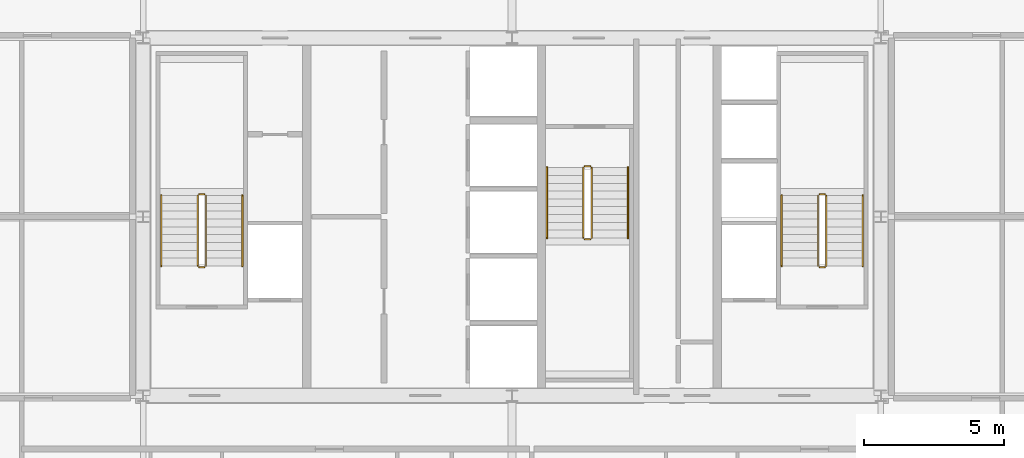
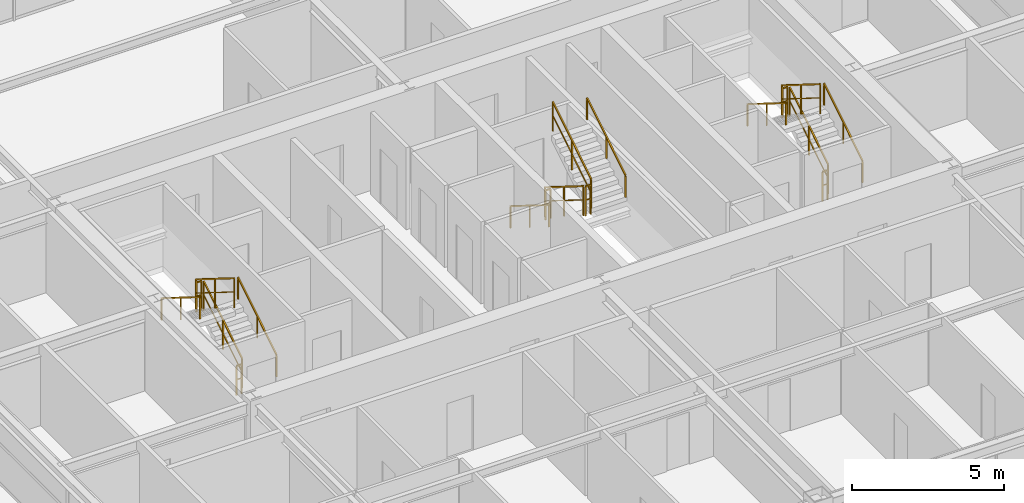
# One storey, part 36 of 36: 18 railings.
"""IFC4 building model written with IfcOpenShell, lengths in metres."""

import ifcopenshell
import ifcopenshell.guid

model = None  # the IFC model being written
_history = None  # IfcOwnerHistory: only IFC2X3 demands one
_inside = {}  # id of a spatial element -> (the spatial element, [elements in it])
_under = {}  # id of a project, library or spatial element -> (it, [spatial elements below it])
_declared = {}  # id of a project -> (the project, [libraries it declares])
_typed = {}  # id of a type object -> (the type object, [elements of that type])
_made_of = {}  # id of a material, layer set ... -> (it, [elements and type objects made of it])


def new_model(schema):
    """Start an empty IFC model of exactly this schema.

    Asked for "IFC4X3", IfcOpenShell would pick the latest addendum, in which some entities
    have other attributes; the version numbers below select the first issue.
    IFC2X3 requires an IfcOwnerHistory on every rooted entity: one is made here for all.
    """
    global model, _history
    if schema == "IFC4X3":
        model = ifcopenshell.file(schema_version=(4, 3, 0, 0))
    else:
        model = ifcopenshell.file(schema=schema)
    _inside.clear()
    _under.clear()
    _declared.clear()
    _typed.clear()
    _made_of.clear()
    _history = None
    if model.schema == "IFC2X3":
        org = make("IfcOrganization", Name="unknown")
        user = make(
            "IfcPersonAndOrganization",
            ThePerson=make("IfcPerson", FamilyName="unknown"),
            TheOrganization=org,
        )
        app = make(
            "IfcApplication",
            ApplicationDeveloper=org,
            Version="unknown",
            ApplicationFullName="unknown",
            ApplicationIdentifier="unknown",
        )
        _history = make(
            "IfcOwnerHistory",
            OwningUser=user,
            OwningApplication=app,
            ChangeAction="ADDED",
            CreationDate=0,
        )
    return model


def make(cls, **values):
    """One entity of the class cls with the attributes given. An attribute that is None is left unset."""
    return model.create_entity(
        cls, **{name: value for name, value in values.items() if value is not None}
    )


def rooted(cls, **values):
    """An entity with a GlobalId (a new one), such as an element, a storey or a relation."""
    return make(cls, GlobalId=ifcopenshell.guid.new(), OwnerHistory=_history, **values)


def si_unit(unit_type, name, prefix=None):
    """IfcSIUnit, for example si_unit("LENGTHUNIT", "METRE", prefix="MILLI")."""
    return make("IfcSIUnit", UnitType=unit_type, Prefix=prefix, Name=name)


def assignment(units):
    """IfcUnitAssignment: the units of a project."""
    return None if units is None else make("IfcUnitAssignment", Units=units)


def point(xyz):
    """IfcCartesianPoint."""
    return None if xyz is None else make("IfcCartesianPoint", Coordinates=xyz)


def direction(xyz):
    """IfcDirection."""
    return None if xyz is None else make("IfcDirection", DirectionRatios=xyz)


def frame(location, z_axis=None, x_axis=None):
    """IfcAxis2Placement3D, a coordinate frame: its origin and axes. An axis left out is left unset."""
    return make(
        "IfcAxis2Placement3D",
        Location=point(location),
        Axis=direction(z_axis),
        RefDirection=direction(x_axis),
    )


def frame_2d(location, x_axis=None):
    """IfcAxis2Placement2D, a coordinate frame in the plane: its origin and x axis."""
    return make(
        "IfcAxis2Placement2D", Location=point(location), RefDirection=direction(x_axis)
    )


def origin():
    """The frame at (0, 0, 0) with its axes left unset."""
    return frame((0.0, 0.0, 0.0))


def origin_2d():
    """The frame at (0, 0) in the plane with its x axis left unset."""
    return frame_2d((0.0, 0.0))


def place(relative_to, where):
    """IfcLocalPlacement: puts the frame where relative to a parent placement (None: the world)."""
    return make(
        "IfcLocalPlacement", PlacementRelTo=relative_to, RelativePlacement=where
    )


def context(
    kind, dimensions, precision=None, world=None, true_north=None, identifier=None
):
    """IfcGeometricRepresentationContext, for example the 3D "Model" context."""
    return make(
        "IfcGeometricRepresentationContext",
        ContextIdentifier=identifier,
        ContextType=kind,
        CoordinateSpaceDimension=dimensions,
        Precision=precision,
        WorldCoordinateSystem=world,
        TrueNorth=true_north,
    )


def subcontext(parent, identifier, kind, view, scale=None):
    """IfcGeometricRepresentationSubContext, for example "Body" below "Model"."""
    return make(
        "IfcGeometricRepresentationSubContext",
        ContextIdentifier=identifier,
        ContextType=kind,
        ParentContext=parent,
        TargetScale=scale,
        TargetView=view,
    )


def project(units=None, contexts=None):
    """IfcProject with its units and contexts."""
    return rooted(
        "IfcProject",
        Name="project",
        RepresentationContexts=contexts,
        UnitsInContext=assignment(units),
    )


def spatial(cls, under=None, at=None, **own):
    """A site, building, storey or space (cls), placed at a placement, below another one or the project."""
    s = rooted(cls, ObjectPlacement=at, **own)
    if under is not None:
        _under.setdefault(under.id(), (under, []))[1].append(s)
    return s


def profile(cls, at=None, kind="AREA", **sizes):
    """A parametric profile (cls). Its sizes go by their IFC names, for example OverallWidth=200.0."""
    return make(cls, ProfileType=kind, Position=at, **sizes)


def rectangle(**sizes):
    """IfcRectangleProfileDef."""
    return profile("IfcRectangleProfileDef", **sizes)


def extrude(swept, where, along, depth):
    """IfcExtrudedAreaSolid: the profile swept, set in the frame where, extruded along a direction by depth."""
    return make(
        "IfcExtrudedAreaSolid",
        SweptArea=swept,
        Position=where,
        ExtrudedDirection=direction(along),
        Depth=depth,
    )


def shape(context_of_items, identifier, shape_type, items):
    """IfcShapeRepresentation: the items that make up one representation, for example the "Body"."""
    return make(
        "IfcShapeRepresentation",
        ContextOfItems=context_of_items,
        RepresentationIdentifier=identifier,
        RepresentationType=shape_type,
        Items=items,
    )


def source(mapping_origin, context_of_items, identifier, shape_type, items):
    """IfcRepresentationMap: a shape defined once, which mapped items show again and again."""
    return make(
        "IfcRepresentationMap",
        MappingOrigin=mapping_origin,
        MappedRepresentation=shape(context_of_items, identifier, shape_type, items),
    )


def transform(
    local_origin,
    x_axis=None,
    y_axis=None,
    z_axis=None,
    scale=None,
    scale2=None,
    scale3=None,
    uniform=True,
):
    """IfcCartesianTransformationOperator3D, or its non-uniform kind. x_axis, y_axis, z_axis: its Axis1, 2, 3."""
    if uniform:
        return make(
            "IfcCartesianTransformationOperator3D",
            Axis1=direction(x_axis),
            Axis2=direction(y_axis),
            LocalOrigin=point(local_origin),
            Scale=scale,
            Axis3=direction(z_axis),
        )
    return make(
        "IfcCartesianTransformationOperator3DnonUniform",
        Axis1=direction(x_axis),
        Axis2=direction(y_axis),
        LocalOrigin=point(local_origin),
        Scale=scale,
        Axis3=direction(z_axis),
        Scale2=scale2,
        Scale3=scale3,
    )


def mapped(mapping_source, mapping_target):
    """IfcMappedItem: shows the shape of a source again, moved by a transform."""
    return make(
        "IfcMappedItem", MappingSource=mapping_source, MappingTarget=mapping_target
    )


def material(Name=None, Category=None):
    """IfcMaterial."""
    return make("IfcMaterial", Name=Name, Category=Category)


def layer(
    of_material, thickness, ventilated=None, Name=None, Category=None, Priority=None
):
    """IfcMaterialLayer: one layer of a wall or slab, of a material (None: an air gap)."""
    return make(
        "IfcMaterialLayer",
        Material=of_material,
        LayerThickness=thickness,
        IsVentilated=ventilated,
        Name=Name,
        Category=Category,
        Priority=Priority,
    )


def layer_set(layers, Name=None):
    """IfcMaterialLayerSet."""
    return make("IfcMaterialLayerSet", MaterialLayers=layers, LayerSetName=Name)


def made_of(thing, what):
    """Note that an element or type object is made of a material, layer set ...; save() writes the relation."""
    if what is not None:
        _made_of.setdefault(what.id(), (what, []))[1].append(thing)
    return thing


def type_object(cls, material=None, **own):
    """A type object (cls), such as IfcWallType, which elements share."""
    return made_of(rooted(cls, **own), material)


def element(
    cls,
    number,
    at=None,
    inside=None,
    cuts=None,
    type_object=None,
    material=None,
    context=None,
    identifier="Body",
    shape_type=None,
    held_by="IfcProductDefinitionShape",
    body=None,
    shapes=None,
    **own,
):
    """One element of the class cls, such as IfcWall. Its Tag is "e" and its number.

    at: its placement. inside: the storey or other place that contains it. cuts: it is an
    opening in that element (IfcRelVoidsElement). A single representation is given by context,
    identifier, shape_type and body (its items); several are given by shapes. held_by: the class
    of the entity that holds the representations. save() writes the other relations.
    """
    e = rooted(cls, Tag="e%d" % number, ObjectPlacement=at, **own)
    if body is not None:
        shapes = [shape(context, identifier, shape_type, body)]
    if shapes is not None:
        e.Representation = make(held_by, Representations=shapes)
    if inside is not None:
        _inside.setdefault(inside.id(), (inside, []))[1].append(e)
    if cuts is not None:
        rooted(
            "IfcRelVoidsElement", RelatingBuildingElement=cuts, RelatedOpeningElement=e
        )
    if type_object is not None:
        _typed.setdefault(type_object.id(), (type_object, []))[1].append(e)
    return made_of(e, material)


def aggregate(whole, parts):
    """IfcRelAggregates: a whole, such as a stair, and the parts it consists of."""
    return rooted("IfcRelAggregates", RelatingObject=whole, RelatedObjects=parts)


def save(model, path):
    """Write the relations noted so far, then the file.

    IfcRelAggregates (storeys below a building ...), IfcRelContainedInSpatialStructure (elements
    in a storey), IfcRelDefinesByType, IfcRelAssociatesMaterial and IfcRelDeclares: one each for
    every whole, place, type object, material and project.
    """
    for whole, parts in _under.values():
        aggregate(whole, parts)
    for where, things in _inside.values():
        rooted(
            "IfcRelContainedInSpatialStructure",
            RelatedElements=things,
            RelatingStructure=where,
        )
    for kind, things in _typed.values():
        rooted("IfcRelDefinesByType", RelatedObjects=things, RelatingType=kind)
    for what, things in _made_of.values():
        rooted("IfcRelAssociatesMaterial", RelatedObjects=things, RelatingMaterial=what)
    for by, libraries in _declared.values():
        rooted("IfcRelDeclares", RelatingContext=by, RelatedDefinitions=libraries)
    model.write(path)


model = new_model("IFC4")

# Units and contexts
model_context = context("Model", 3, precision=1e-05, world=origin(), true_north=direction((0.0, 1.0)))
body_context = subcontext(model_context, "Body", "Model", "MODEL_VIEW")
ifc_project = project(units=[si_unit("LENGTHUNIT", "METRE"), si_unit("AREAUNIT", "SQUARE_METRE"), si_unit("VOLUMEUNIT", "CUBIC_METRE"), si_unit("PLANEANGLEUNIT", "RADIAN"), si_unit("MASSUNIT", "GRAM", prefix="KILO"), si_unit("THERMODYNAMICTEMPERATUREUNIT", "KELVIN"), si_unit("POWERUNIT", "WATT")], contexts=[model_context])

# Site, building, storey
site_placement = place(None, origin())
site = spatial("IfcSite", under=ifc_project, at=site_placement, CompositionType="ELEMENT")
building_placement = place(site_placement, origin())
building = spatial("IfcBuilding", under=site, at=building_placement, Name="Yuzanri Waterfront Tower", CompositionType="ELEMENT")
storey_placement = place(building_placement, frame((0.0, 0.0, 224.10009765625)))
storey = spatial("IfcBuildingStorey", under=building, at=storey_placement, Name="L59", CompositionType="ELEMENT", Elevation=224.10009765625)

# Railings
ifc_material_1 = material(Name="Painted Galvanized Fire Steel", Category="steel")
ifc_layer_1 = layer(ifc_material_1, 0.06005859375)
ifc_layer_set_1 = layer_set([ifc_layer_1], Name="Painted Galvanized Fire Steel")
railing_type_1 = type_object("IfcRailingType", Name="Painted Steel Stairwell Guardrail 1120", PredefinedType="GUARDRAIL", material=ifc_layer_set_1)
shared_shape_1 = source(origin(), body_context, "Body", "SweptSolid", [
    extrude(rectangle(XDim=0.050048828125, YDim=0.050048828125, at=origin_2d()), frame((0.0, 0.0, 1.1748046875), z_axis=(-1.0, 0.0, 0.0), x_axis=(0.0, -1.0, 0.0)), (0.0, 0.0, 1.0), 0.199951171875),
    extrude(rectangle(XDim=0.035888671875, YDim=0.030029296875, at=origin_2d()), frame((0.0, 0.0, 0.6240234375), z_axis=(-1.0, 0.0, 0.0), x_axis=(0.0, -1.0, 0.0)), (0.0, 0.0, 1.0), 0.199951171875),
    extrude(rectangle(XDim=0.0458984375, YDim=0.0458984375, at=origin_2d()), origin(), (0.0, 0.0, 1.0), 1.14990234375),
    extrude(rectangle(XDim=0.0458984375, YDim=0.0458984375, at=origin_2d()), frame((-0.199951171875, 0.0, 0.0)), (0.0, 0.0, 1.0), 1.14990234375),
])
for number, where, name in (
    (1, (26.0, 26.610107421875, 1.75), "L59 ST-01 stair guard 2"),
    (2, (26.0, 23.989990234375, 0.0), "L59 ST-01 stair guard 4"),
    (3, (48.199951171875, 26.610107421875, 1.75), "L59 ST-02 stair guard 2"),
    (4, (48.199951171875, 23.989990234375, 0.0), "L59 ST-02 stair guard 4"),
):
    element("IfcRailing", number, at=place(storey_placement, frame(where)), inside=storey, type_object=railing_type_1, Name=name, PredefinedType="GUARDRAIL", context=body_context, shape_type="MappedRepresentation", body=[
        mapped(shared_shape_1, transform((0.0, 0.0, 0.0), scale=1.0)),
    ])
shared_shape_2 = source(origin(), body_context, "Body", "SweptSolid", [
    extrude(rectangle(XDim=0.050048828125, YDim=0.050048828125, at=origin_2d()), frame((0.0, 0.0, 1.1748046875), z_axis=(0.0, 0.847970611238, 0.530043245855), x_axis=(-1.0, 0.0, 0.0)), (0.0, 0.0, 1.0), 2.971923828125),
    extrude(rectangle(XDim=0.035888671875, YDim=0.030029296875, at=origin_2d()), frame((0.0, 0.0, 0.6240234375), z_axis=(0.0, 0.847970611238, 0.530043245855), x_axis=(-1.0, 0.0, 0.0)), (0.0, 0.0, 1.0), 2.971923828125),
    extrude(rectangle(XDim=0.0458984375, YDim=0.0458984375, at=origin_2d()), origin(), (0.0, 0.0, 1.0), 1.14990234375),
    extrude(rectangle(XDim=0.0458984375, YDim=0.0458984375, at=origin_2d()), frame((0.0, 1.260009765625, 0.78759765625)), (0.0, 0.0, 1.0), 1.14990234375),
    extrude(rectangle(XDim=0.0458984375, YDim=0.0458984375, at=origin_2d()), frame((0.0, 2.52001953125, 1.5751953125)), (0.0, 0.0, 1.0), 1.14990234375),
])
for number, where, name in (
    (5, (26.050048828125, 24.0400390625, 0.1748046875), "L59 ST-01 stair guard 1"),
    (6, (48.25, 24.0400390625, 0.1748046875), "L59 ST-02 stair guard 1"),
    (7, (39.85009765625, 25.0400390625, 1.9248046875), "L59 ST-03 stair guard 3"),
):
    element("IfcRailing", number, at=place(storey_placement, frame(where)), inside=storey, type_object=railing_type_1, Name=name, PredefinedType="GUARDRAIL", context=body_context, shape_type="MappedRepresentation", body=[
        mapped(shared_shape_2, transform((0.0, 0.0, 0.0), scale=1.0)),
    ])
shared_shape_3 = source(origin(), body_context, "Body", "SweptSolid", [
    extrude(rectangle(XDim=0.050048828125, YDim=0.050048828125, at=origin_2d()), frame((0.0, 0.0, 1.1748046875), z_axis=(0.0, -0.847970611238, 0.530043245855), x_axis=(1.0, 0.0, 0.0)), (0.0, 0.0, 1.0), 2.971923828125),
    extrude(rectangle(XDim=0.035888671875, YDim=0.030029296875, at=origin_2d()), frame((0.0, 0.0, 0.6240234375), z_axis=(0.0, -0.847970611238, 0.530043245855), x_axis=(1.0, 0.0, 0.0)), (0.0, 0.0, 1.0), 2.971923828125),
    extrude(rectangle(XDim=0.0458984375, YDim=0.0458984375, at=origin_2d()), origin(), (0.0, 0.0, 1.0), 1.14990234375),
    extrude(rectangle(XDim=0.0458984375, YDim=0.0458984375, at=origin_2d()), frame((0.0, -1.260009765625, 0.78759765625)), (0.0, 0.0, 1.0), 1.14990234375),
    extrude(rectangle(XDim=0.0458984375, YDim=0.0458984375, at=origin_2d()), frame((0.0, -2.52001953125, 1.5751953125)), (0.0, 0.0, 1.0), 1.14990234375),
])
for number, where, name in (
    (8, (25.75, 26.56005859375, 1.9248046875), "L59 ST-01 stair guard 3"),
    (9, (47.949951171875, 26.56005859375, 1.9248046875), "L59 ST-02 stair guard 3"),
    (10, (39.550048828125, 27.56005859375, 0.1748046875), "L59 ST-03 stair guard 1"),
):
    element("IfcRailing", number, at=place(storey_placement, frame(where)), inside=storey, type_object=railing_type_1, Name=name, PredefinedType="GUARDRAIL", context=body_context, shape_type="MappedRepresentation", body=[
        mapped(shared_shape_3, transform((0.0, 0.0, 0.0), scale=1.0)),
    ])
ifc_material_2 = material(Name="Anodized Architectural Bronze", Category="metal")
ifc_layer_2 = layer(ifc_material_2, 0.050048828125)
ifc_layer_set_2 = layer_set([ifc_layer_2], Name="Anodized Architectural Bronze")
railing_type_2 = type_object("IfcRailingType", Name="Brushed Bronze Stair Pitch Handrail 920", PredefinedType="HANDRAIL", material=ifc_layer_set_2)
shared_shape_4 = source(origin(), body_context, "Body", "SweptSolid", [
    extrude(rectangle(XDim=0.050048828125, YDim=0.050048828125, at=origin_2d()), frame((0.0, 0.0, 0.875), z_axis=(0.0, 0.847970611238, 0.530043245855), x_axis=(-1.0, 0.0, 0.0)), (0.0, 0.0, 1.0), 2.971923828125),
    extrude(rectangle(XDim=0.0458984375, YDim=0.0458984375, at=origin_2d()), origin(), (0.0, 0.0, 1.0), 0.849853515625),
    extrude(rectangle(XDim=0.0458984375, YDim=0.0458984375, at=origin_2d()), frame((0.0, 1.260009765625, 0.78759765625)), (0.0, 0.0, 1.0), 0.849853515625),
    extrude(rectangle(XDim=0.0458984375, YDim=0.0458984375, at=origin_2d()), frame((0.0, 2.52001953125, 1.5751953125)), (0.0, 0.0, 1.0), 0.849853515625),
])
for number, where, name in (
    (11, (27.35009765625, 24.0400390625, 0.1748046875), "L59 ST-01 stair handrail 1"),
    (12, (49.550048828125, 24.0400390625, 0.1748046875), "L59 ST-02 stair handrail 1"),
    (13, (41.14990234375, 25.0400390625, 1.9248046875), "L59 ST-03 stair handrail 2"),
):
    element("IfcRailing", number, at=place(storey_placement, frame(where)), inside=storey, type_object=railing_type_2, Name=name, PredefinedType="HANDRAIL", context=body_context, shape_type="MappedRepresentation", body=[
        mapped(shared_shape_4, transform((0.0, 0.0, 0.0), scale=1.0)),
    ])
shared_shape_5 = source(origin(), body_context, "Body", "SweptSolid", [
    extrude(rectangle(XDim=0.050048828125, YDim=0.050048828125, at=origin_2d()), frame((0.0, 0.0, 0.875), z_axis=(0.0, -0.847970611238, 0.530043245855), x_axis=(1.0, 0.0, 0.0)), (0.0, 0.0, 1.0), 2.971923828125),
    extrude(rectangle(XDim=0.0458984375, YDim=0.0458984375, at=origin_2d()), origin(), (0.0, 0.0, 1.0), 0.849853515625),
    extrude(rectangle(XDim=0.0458984375, YDim=0.0458984375, at=origin_2d()), frame((0.0, -1.260009765625, 0.78759765625)), (0.0, 0.0, 1.0), 0.849853515625),
    extrude(rectangle(XDim=0.0458984375, YDim=0.0458984375, at=origin_2d()), frame((0.0, -2.52001953125, 1.5751953125)), (0.0, 0.0, 1.0), 0.849853515625),
])
for number, where, name in (
    (14, (24.449951171875, 26.56005859375, 1.9248046875), "L59 ST-01 stair handrail 2"),
    (15, (46.64990234375, 26.56005859375, 1.9248046875), "L59 ST-02 stair handrail 2"),
    (16, (38.25, 27.56005859375, 0.1748046875), "L59 ST-03 stair handrail 1"),
):
    element("IfcRailing", number, at=place(storey_placement, frame(where)), inside=storey, type_object=railing_type_2, Name=name, PredefinedType="HANDRAIL", context=body_context, shape_type="MappedRepresentation", body=[
        mapped(shared_shape_5, transform((0.0, 0.0, 0.0), scale=1.0)),
    ])
shared_shape_6 = source(origin(), body_context, "Body", "SweptSolid", [
    extrude(rectangle(XDim=0.050048828125, YDim=0.050048828125, at=origin_2d()), frame((0.0, 0.0, 1.1748046875), z_axis=(1.0, 0.0, 0.0), x_axis=(0.0, 1.0, 0.0)), (0.0, 0.0, 1.0), 0.199951171875),
    extrude(rectangle(XDim=0.035888671875, YDim=0.030029296875, at=origin_2d()), frame((0.0, 0.0, 0.6240234375), z_axis=(1.0, 0.0, 0.0), x_axis=(0.0, 1.0, 0.0)), (0.0, 0.0, 1.0), 0.199951171875),
    extrude(rectangle(XDim=0.0458984375, YDim=0.0458984375, at=origin_2d()), origin(), (0.0, 0.0, 1.0), 1.14990234375),
    extrude(rectangle(XDim=0.0458984375, YDim=0.0458984375, at=origin_2d()), frame((0.199951171875, 0.0, 0.0)), (0.0, 0.0, 1.0), 1.14990234375),
])
for number, where, name in (
    (17, (39.60009765625, 24.989990234375, 1.75), "L59 ST-03 stair guard 2"),
    (18, (39.60009765625, 27.610107421875, 0.0), "L59 ST-03 stair guard 4"),
):
    element("IfcRailing", number, at=place(storey_placement, frame(where)), inside=storey, type_object=railing_type_1, Name=name, PredefinedType="GUARDRAIL", context=body_context, shape_type="MappedRepresentation", body=[
        mapped(shared_shape_6, transform((0.0, 0.0, 0.0), scale=1.0)),
    ])

save(model, "model.ifc")
